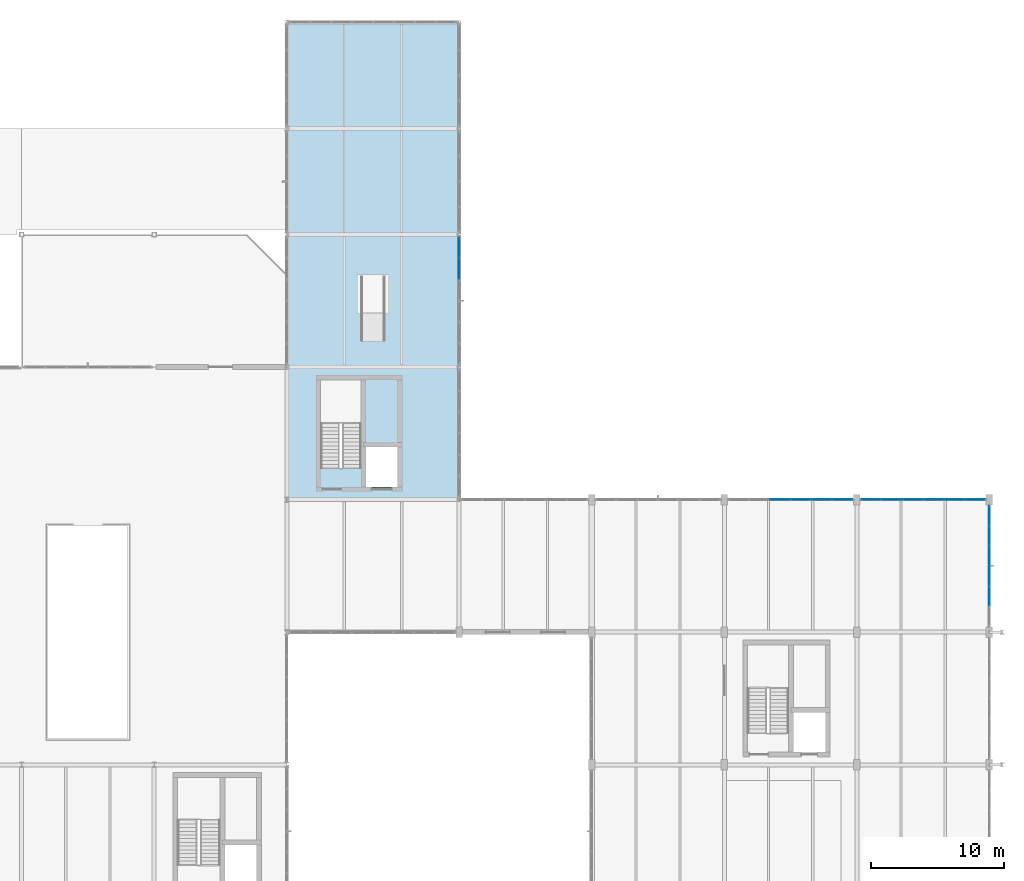
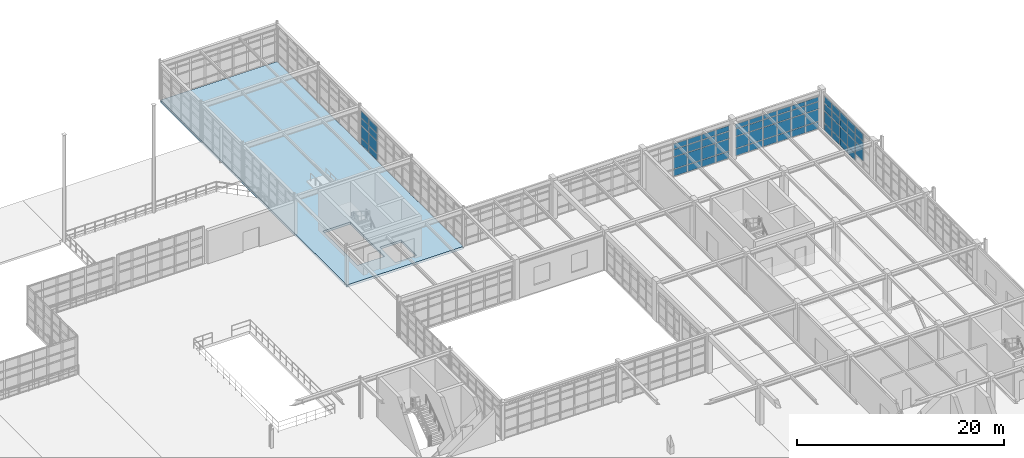
# One storey, part 103 of 139: 67 plates, 1 slab, 4 elements without a shape of their own.
"""IFC4 building model written with IfcOpenShell, lengths in metres."""

from ifc_helpers import new_model, si_unit, direction, frame, origin, origin_2d, place, context, subcontext, project, spatial, polyline, rectangle, outline, extrude, material, layer, layer_set, type_object, element, aggregate, save


model = new_model("IFC4")

# Units and contexts
model_context = context("Model", 3, precision=1e-05, world=origin(), true_north=direction((0.0, 1.0)))
body_context = subcontext(model_context, "Body", "Model", "MODEL_VIEW")
ifc_project = project(units=[si_unit("LENGTHUNIT", "METRE"), si_unit("AREAUNIT", "SQUARE_METRE"), si_unit("VOLUMEUNIT", "CUBIC_METRE"), si_unit("PLANEANGLEUNIT", "RADIAN"), si_unit("MASSUNIT", "GRAM", prefix="KILO"), si_unit("THERMODYNAMICTEMPERATUREUNIT", "KELVIN"), si_unit("POWERUNIT", "WATT")], contexts=[model_context])

# Site, building, storey
site_placement = place(None, origin())
site = spatial("IfcSite", under=ifc_project, at=site_placement, CompositionType="ELEMENT")
building_placement = place(site_placement, origin())
building = spatial("IfcBuilding", under=site, at=building_placement, Name="Korenveer Ferry Terminal", CompositionType="ELEMENT")
storey_placement = place(building_placement, frame((0.0, 0.0, 5.39990234375)))
storey = spatial("IfcBuildingStorey", under=building, at=storey_placement, Name="L01", CompositionType="ELEMENT", Elevation=5.39990234375)

# Curtain wall, plates
ifc_material_1 = material(Name="Unitised bronze-and-glass curtain wall", Category="glass")
ifc_layer_1 = layer(ifc_material_1, 0.219970703125)
ifc_layer_set_1 = layer_set([ifc_layer_1], Name="Unitised bronze-and-glass curtain wall")
curtain_wall_type_1 = type_object("IfcCurtainWallType", Name="ENV-CW-49", PredefinedType="USERDEFINED", material=ifc_layer_set_1)
curtain_wall_1_placement = place(storey_placement, frame((156.280029296875, 80.0, 0.0)))
curtain_wall_1 = element("IfcCurtainWall", 1, at=curtain_wall_1_placement, inside=storey, type_object=curtain_wall_type_1, Name="Lancet curtain wall CWX-L01-X156-166-Y80-80", ObjectType="UNITISED CURTAIN WALL", PredefinedType="USERDEFINED")
ifc_material_2 = material(Name="Acoustic laminated marine glazing", Category="glass")
ifc_layer_2 = layer(ifc_material_2, 0.035888671875)
ifc_layer_set_2 = layer_set([ifc_layer_2], Name="Acoustic laminated marine glazing")
plate_type = type_object("IfcPlateType", Name="ENV-CWP-GLZ36", PredefinedType="CURTAIN_PANEL", material=ifc_layer_set_2)
plate_1_placement = place(storey_placement, frame((160.21337890625, 80.0, 0.074951171875), z_axis=(0.0, 0.0, 1.0), x_axis=(1.0, 0.0, 0.0)))
plate_1 = element("IfcPlate", 2, at=plate_1_placement, type_object=plate_type, Name="CW-49 panel 3.1", PredefinedType="CURTAIN_PANEL", context=body_context, shape_type="SweptSolid", body=[
    extrude(rectangle(XDim=1.498291015625, YDim=0.035888671875, at=origin_2d()), origin(), (0.0, 0.0, 1.0), 0.78759765625),
])
plate_2_placement = place(storey_placement, frame((160.21337890625, 80.0, 0.9375), z_axis=(0.0, 0.0, 1.0), x_axis=(1.0, 0.0, 0.0)))
plate_2 = element("IfcPlate", 3, at=plate_2_placement, type_object=plate_type, Name="CW-49 panel 3.2", PredefinedType="CURTAIN_PANEL", context=body_context, shape_type="SweptSolid", body=[
    extrude(rectangle(XDim=1.498291015625, YDim=0.035888671875, at=origin_2d()), origin(), (0.0, 0.0, 1.0), 1.375),
])
plate_3_placement = place(storey_placement, frame((160.21337890625, 80.0, 2.3876953125), z_axis=(0.0, 0.0, 1.0), x_axis=(1.0, 0.0, 0.0)))
plate_3 = element("IfcPlate", 4, at=plate_3_placement, type_object=plate_type, Name="CW-49 panel 3.3", PredefinedType="CURTAIN_PANEL", context=body_context, shape_type="SweptSolid", body=[
    extrude(rectangle(XDim=1.498291015625, YDim=0.035888671875, at=origin_2d()), origin(), (0.0, 0.0, 1.0), 0.824951171875),
])
plate_4_placement = place(storey_placement, frame((160.21337890625, 80.0, 3.28759765625), z_axis=(0.0, 0.0, 1.0), x_axis=(1.0, 0.0, 0.0)))
plate_4 = element("IfcPlate", 5, at=plate_4_placement, type_object=plate_type, Name="CW-49 panel 3.4", PredefinedType="CURTAIN_PANEL", context=body_context, shape_type="SweptSolid", body=[
    extrude(rectangle(XDim=1.498291015625, YDim=0.035888671875, at=origin_2d()), origin(), (0.0, 0.0, 1.0), 0.607421875),
])
plate_5_placement = place(storey_placement, frame((161.78662109375, 80.0, 0.074951171875), z_axis=(0.0, 0.0, 1.0), x_axis=(1.0, 0.0, 0.0)))
plate_5 = element("IfcPlate", 6, at=plate_5_placement, type_object=plate_type, Name="CW-49 panel 4.1", PredefinedType="CURTAIN_PANEL", context=body_context, shape_type="SweptSolid", body=[
    extrude(rectangle(XDim=1.498291015625, YDim=0.035888671875, at=origin_2d()), origin(), (0.0, 0.0, 1.0), 0.78759765625),
])
plate_6_placement = place(storey_placement, frame((161.78662109375, 80.0, 0.9375), z_axis=(0.0, 0.0, 1.0), x_axis=(1.0, 0.0, 0.0)))
plate_6 = element("IfcPlate", 7, at=plate_6_placement, type_object=plate_type, Name="CW-49 panel 4.2", PredefinedType="CURTAIN_PANEL", context=body_context, shape_type="SweptSolid", body=[
    extrude(rectangle(XDim=1.498291015625, YDim=0.035888671875, at=origin_2d()), origin(), (0.0, 0.0, 1.0), 1.375),
])
plate_7_placement = place(storey_placement, frame((161.78662109375, 80.0, 2.3876953125), z_axis=(0.0, 0.0, 1.0), x_axis=(1.0, 0.0, 0.0)))
plate_7 = element("IfcPlate", 8, at=plate_7_placement, type_object=plate_type, Name="CW-49 panel 4.3", PredefinedType="CURTAIN_PANEL", context=body_context, shape_type="SweptSolid", body=[
    extrude(rectangle(XDim=1.498291015625, YDim=0.035888671875, at=origin_2d()), origin(), (0.0, 0.0, 1.0), 0.824951171875),
])
plate_8_placement = place(storey_placement, frame((161.78662109375, 80.0, 3.28759765625), z_axis=(0.0, 0.0, 1.0), x_axis=(1.0, 0.0, 0.0)))
plate_8 = element("IfcPlate", 9, at=plate_8_placement, type_object=plate_type, Name="CW-49 panel 4.4", PredefinedType="CURTAIN_PANEL", context=body_context, shape_type="SweptSolid", body=[
    extrude(rectangle(XDim=1.498291015625, YDim=0.035888671875, at=origin_2d()), origin(), (0.0, 0.0, 1.0), 0.607421875),
])
plate_9_placement = place(storey_placement, frame((163.360107421875, 80.0, 0.074951171875), z_axis=(0.0, 0.0, 1.0), x_axis=(1.0, 0.0, 0.0)))
plate_9 = element("IfcPlate", 10, at=plate_9_placement, type_object=plate_type, Name="CW-49 panel 5.1", PredefinedType="CURTAIN_PANEL", context=body_context, shape_type="SweptSolid", body=[
    extrude(rectangle(XDim=1.498291015625, YDim=0.035888671875, at=origin_2d()), origin(), (0.0, 0.0, 1.0), 0.78759765625),
])
plate_10_placement = place(storey_placement, frame((163.360107421875, 80.0, 0.9375), z_axis=(0.0, 0.0, 1.0), x_axis=(1.0, 0.0, 0.0)))
plate_10 = element("IfcPlate", 11, at=plate_10_placement, type_object=plate_type, Name="CW-49 panel 5.2", PredefinedType="CURTAIN_PANEL", context=body_context, shape_type="SweptSolid", body=[
    extrude(rectangle(XDim=1.498291015625, YDim=0.035888671875, at=origin_2d()), origin(), (0.0, 0.0, 1.0), 1.375),
])
plate_11_placement = place(storey_placement, frame((163.360107421875, 80.0, 2.3876953125), z_axis=(0.0, 0.0, 1.0), x_axis=(1.0, 0.0, 0.0)))
plate_11 = element("IfcPlate", 12, at=plate_11_placement, type_object=plate_type, Name="CW-49 panel 5.3", PredefinedType="CURTAIN_PANEL", context=body_context, shape_type="SweptSolid", body=[
    extrude(rectangle(XDim=1.498291015625, YDim=0.035888671875, at=origin_2d()), origin(), (0.0, 0.0, 1.0), 0.824951171875),
])
plate_12_placement = place(storey_placement, frame((163.360107421875, 80.0, 3.28759765625), z_axis=(0.0, 0.0, 1.0), x_axis=(1.0, 0.0, 0.0)))
plate_12 = element("IfcPlate", 13, at=plate_12_placement, type_object=plate_type, Name="CW-49 panel 5.4", PredefinedType="CURTAIN_PANEL", context=body_context, shape_type="SweptSolid", body=[
    extrude(rectangle(XDim=1.498291015625, YDim=0.035888671875, at=origin_2d()), origin(), (0.0, 0.0, 1.0), 0.607421875),
])
plate_13_placement = place(storey_placement, frame((164.91455078125, 80.0, 0.074951171875), z_axis=(0.0, 0.0, 1.0), x_axis=(1.0, 0.0, 0.0)))
plate_13 = element("IfcPlate", 14, at=plate_13_placement, type_object=plate_type, Name="CW-49 panel 6.1", PredefinedType="CURTAIN_PANEL", context=body_context, shape_type="SweptSolid", body=[
    extrude(rectangle(XDim=1.4609375, YDim=0.035888671875, at=origin_2d()), origin(), (0.0, 0.0, 1.0), 0.78759765625),
])
plate_14_placement = place(storey_placement, frame((164.91455078125, 80.0, 0.9375), z_axis=(0.0, 0.0, 1.0), x_axis=(1.0, 0.0, 0.0)))
plate_14 = element("IfcPlate", 15, at=plate_14_placement, type_object=plate_type, Name="CW-49 panel 6.2", PredefinedType="CURTAIN_PANEL", context=body_context, shape_type="SweptSolid", body=[
    extrude(rectangle(XDim=1.4609375, YDim=0.035888671875, at=origin_2d()), origin(), (0.0, 0.0, 1.0), 1.375),
])
plate_15_placement = place(storey_placement, frame((164.91455078125, 80.0, 2.3876953125), z_axis=(0.0, 0.0, 1.0), x_axis=(1.0, 0.0, 0.0)))
plate_15 = element("IfcPlate", 16, at=plate_15_placement, type_object=plate_type, Name="CW-49 panel 6.3", PredefinedType="CURTAIN_PANEL", context=body_context, shape_type="SweptSolid", body=[
    extrude(rectangle(XDim=1.4609375, YDim=0.035888671875, at=origin_2d()), origin(), (0.0, 0.0, 1.0), 0.824951171875),
])
plate_16_placement = place(storey_placement, frame((164.91455078125, 80.0, 3.28759765625), z_axis=(0.0, 0.0, 1.0), x_axis=(1.0, 0.0, 0.0)))
plate_16 = element("IfcPlate", 17, at=plate_16_placement, type_object=plate_type, Name="CW-49 panel 6.4", PredefinedType="CURTAIN_PANEL", context=body_context, shape_type="SweptSolid", body=[
    extrude(rectangle(XDim=1.4609375, YDim=0.035888671875, at=origin_2d()), origin(), (0.0, 0.0, 1.0), 0.607421875),
])
aggregate(curtain_wall_1, [plate_1, plate_2, plate_3, plate_4, plate_5, plate_6, plate_7, plate_8, plate_9, plate_10, plate_11, plate_12, plate_13, plate_14, plate_15, plate_16])

ifc_layer_3 = layer(ifc_material_1, 0.219970703125)
ifc_layer_set_3 = layer_set([ifc_layer_3], Name="Unitised bronze-and-glass curtain wall")
curtain_wall_type_2 = type_object("IfcCurtainWallType", Name="ENV-CW-50", PredefinedType="USERDEFINED", material=ifc_layer_set_3)
curtain_wall_2_placement = place(storey_placement, frame((166.280029296875, 80.0, 0.0)))
curtain_wall_2 = element("IfcCurtainWall", 18, at=curtain_wall_2_placement, inside=storey, type_object=curtain_wall_type_2, Name="Lancet curtain wall CWX-L01-X166-176-Y80-80", ObjectType="UNITISED CURTAIN WALL", PredefinedType="USERDEFINED")
plate_17_placement = place(storey_placement, frame((167.08544921875, 80.0, 0.074951171875), z_axis=(0.0, 0.0, 1.0), x_axis=(1.0, 0.0, 0.0)))
plate_17 = element("IfcPlate", 19, at=plate_17_placement, type_object=plate_type, Name="CW-50 panel 1.1", PredefinedType="CURTAIN_PANEL", context=body_context, shape_type="SweptSolid", body=[
    extrude(rectangle(XDim=1.4609375, YDim=0.035888671875, at=origin_2d()), origin(), (0.0, 0.0, 1.0), 0.78759765625),
])
plate_18_placement = place(storey_placement, frame((167.08544921875, 80.0, 0.9375), z_axis=(0.0, 0.0, 1.0), x_axis=(1.0, 0.0, 0.0)))
plate_18 = element("IfcPlate", 20, at=plate_18_placement, type_object=plate_type, Name="CW-50 panel 1.2", PredefinedType="CURTAIN_PANEL", context=body_context, shape_type="SweptSolid", body=[
    extrude(rectangle(XDim=1.4609375, YDim=0.035888671875, at=origin_2d()), origin(), (0.0, 0.0, 1.0), 1.375),
])
plate_19_placement = place(storey_placement, frame((167.08544921875, 80.0, 2.3876953125), z_axis=(0.0, 0.0, 1.0), x_axis=(1.0, 0.0, 0.0)))
plate_19 = element("IfcPlate", 21, at=plate_19_placement, type_object=plate_type, Name="CW-50 panel 1.3", PredefinedType="CURTAIN_PANEL", context=body_context, shape_type="SweptSolid", body=[
    extrude(rectangle(XDim=1.4609375, YDim=0.035888671875, at=origin_2d()), origin(), (0.0, 0.0, 1.0), 0.824951171875),
])
plate_20_placement = place(storey_placement, frame((167.08544921875, 80.0, 3.28759765625), z_axis=(0.0, 0.0, 1.0), x_axis=(1.0, 0.0, 0.0)))
plate_20 = element("IfcPlate", 22, at=plate_20_placement, type_object=plate_type, Name="CW-50 panel 1.4", PredefinedType="CURTAIN_PANEL", context=body_context, shape_type="SweptSolid", body=[
    extrude(rectangle(XDim=1.4609375, YDim=0.035888671875, at=origin_2d()), origin(), (0.0, 0.0, 1.0), 0.507568359375),
])
plate_21_placement = place(storey_placement, frame((168.639892578125, 80.0, 0.074951171875), z_axis=(0.0, 0.0, 1.0), x_axis=(1.0, 0.0, 0.0)))
plate_21 = element("IfcPlate", 23, at=plate_21_placement, type_object=plate_type, Name="CW-50 panel 2.1", PredefinedType="CURTAIN_PANEL", context=body_context, shape_type="SweptSolid", body=[
    extrude(rectangle(XDim=1.498291015625, YDim=0.035888671875, at=origin_2d()), origin(), (0.0, 0.0, 1.0), 0.78759765625),
])
plate_22_placement = place(storey_placement, frame((168.639892578125, 80.0, 0.9375), z_axis=(0.0, 0.0, 1.0), x_axis=(1.0, 0.0, 0.0)))
plate_22 = element("IfcPlate", 24, at=plate_22_placement, type_object=plate_type, Name="CW-50 panel 2.2", PredefinedType="CURTAIN_PANEL", context=body_context, shape_type="SweptSolid", body=[
    extrude(rectangle(XDim=1.498291015625, YDim=0.035888671875, at=origin_2d()), origin(), (0.0, 0.0, 1.0), 1.375),
])
plate_23_placement = place(storey_placement, frame((168.639892578125, 80.0, 2.3876953125), z_axis=(0.0, 0.0, 1.0), x_axis=(1.0, 0.0, 0.0)))
plate_23 = element("IfcPlate", 25, at=plate_23_placement, type_object=plate_type, Name="CW-50 panel 2.3", PredefinedType="CURTAIN_PANEL", context=body_context, shape_type="SweptSolid", body=[
    extrude(rectangle(XDim=1.498291015625, YDim=0.035888671875, at=origin_2d()), origin(), (0.0, 0.0, 1.0), 0.824951171875),
])
plate_24_placement = place(storey_placement, frame((168.639892578125, 80.0, 3.28759765625), z_axis=(0.0, 0.0, 1.0), x_axis=(1.0, 0.0, 0.0)))
plate_24 = element("IfcPlate", 26, at=plate_24_placement, type_object=plate_type, Name="CW-50 panel 2.4", PredefinedType="CURTAIN_PANEL", context=body_context, shape_type="SweptSolid", body=[
    extrude(rectangle(XDim=1.498291015625, YDim=0.035888671875, at=origin_2d()), origin(), (0.0, 0.0, 1.0), 0.507568359375),
])
plate_25_placement = place(storey_placement, frame((170.21337890625, 80.0, 0.074951171875), z_axis=(0.0, 0.0, 1.0), x_axis=(1.0, 0.0, 0.0)))
plate_25 = element("IfcPlate", 27, at=plate_25_placement, type_object=plate_type, Name="CW-50 panel 3.1", PredefinedType="CURTAIN_PANEL", context=body_context, shape_type="SweptSolid", body=[
    extrude(rectangle(XDim=1.498291015625, YDim=0.035888671875, at=origin_2d()), origin(), (0.0, 0.0, 1.0), 0.78759765625),
])
plate_26_placement = place(storey_placement, frame((170.21337890625, 80.0, 0.9375), z_axis=(0.0, 0.0, 1.0), x_axis=(1.0, 0.0, 0.0)))
plate_26 = element("IfcPlate", 28, at=plate_26_placement, type_object=plate_type, Name="CW-50 panel 3.2", PredefinedType="CURTAIN_PANEL", context=body_context, shape_type="SweptSolid", body=[
    extrude(rectangle(XDim=1.498291015625, YDim=0.035888671875, at=origin_2d()), origin(), (0.0, 0.0, 1.0), 1.375),
])
plate_27_placement = place(storey_placement, frame((170.21337890625, 80.0, 2.3876953125), z_axis=(0.0, 0.0, 1.0), x_axis=(1.0, 0.0, 0.0)))
plate_27 = element("IfcPlate", 29, at=plate_27_placement, type_object=plate_type, Name="CW-50 panel 3.3", PredefinedType="CURTAIN_PANEL", context=body_context, shape_type="SweptSolid", body=[
    extrude(rectangle(XDim=1.498291015625, YDim=0.035888671875, at=origin_2d()), origin(), (0.0, 0.0, 1.0), 0.824951171875),
])
plate_28_placement = place(storey_placement, frame((170.21337890625, 80.0, 3.28759765625), z_axis=(0.0, 0.0, 1.0), x_axis=(1.0, 0.0, 0.0)))
plate_28 = element("IfcPlate", 30, at=plate_28_placement, type_object=plate_type, Name="CW-50 panel 3.4", PredefinedType="CURTAIN_PANEL", context=body_context, shape_type="SweptSolid", body=[
    extrude(rectangle(XDim=1.498291015625, YDim=0.035888671875, at=origin_2d()), origin(), (0.0, 0.0, 1.0), 0.507568359375),
])
plate_29_placement = place(storey_placement, frame((171.78662109375, 80.0, 0.074951171875), z_axis=(0.0, 0.0, 1.0), x_axis=(1.0, 0.0, 0.0)))
plate_29 = element("IfcPlate", 31, at=plate_29_placement, type_object=plate_type, Name="CW-50 panel 4.1", PredefinedType="CURTAIN_PANEL", context=body_context, shape_type="SweptSolid", body=[
    extrude(rectangle(XDim=1.498291015625, YDim=0.035888671875, at=origin_2d()), origin(), (0.0, 0.0, 1.0), 0.78759765625),
])
plate_30_placement = place(storey_placement, frame((171.78662109375, 80.0, 0.9375), z_axis=(0.0, 0.0, 1.0), x_axis=(1.0, 0.0, 0.0)))
plate_30 = element("IfcPlate", 32, at=plate_30_placement, type_object=plate_type, Name="CW-50 panel 4.2", PredefinedType="CURTAIN_PANEL", context=body_context, shape_type="SweptSolid", body=[
    extrude(rectangle(XDim=1.498291015625, YDim=0.035888671875, at=origin_2d()), origin(), (0.0, 0.0, 1.0), 1.375),
])
plate_31_placement = place(storey_placement, frame((171.78662109375, 80.0, 2.3876953125), z_axis=(0.0, 0.0, 1.0), x_axis=(1.0, 0.0, 0.0)))
plate_31 = element("IfcPlate", 33, at=plate_31_placement, type_object=plate_type, Name="CW-50 panel 4.3", PredefinedType="CURTAIN_PANEL", context=body_context, shape_type="SweptSolid", body=[
    extrude(rectangle(XDim=1.498291015625, YDim=0.035888671875, at=origin_2d()), origin(), (0.0, 0.0, 1.0), 0.824951171875),
])
plate_32_placement = place(storey_placement, frame((171.78662109375, 80.0, 3.28759765625), z_axis=(0.0, 0.0, 1.0), x_axis=(1.0, 0.0, 0.0)))
plate_32 = element("IfcPlate", 34, at=plate_32_placement, type_object=plate_type, Name="CW-50 panel 4.4", PredefinedType="CURTAIN_PANEL", context=body_context, shape_type="SweptSolid", body=[
    extrude(rectangle(XDim=1.498291015625, YDim=0.035888671875, at=origin_2d()), origin(), (0.0, 0.0, 1.0), 0.507568359375),
])
plate_33_placement = place(storey_placement, frame((173.360107421875, 80.0, 0.074951171875), z_axis=(0.0, 0.0, 1.0), x_axis=(1.0, 0.0, 0.0)))
plate_33 = element("IfcPlate", 35, at=plate_33_placement, type_object=plate_type, Name="CW-50 panel 5.1", PredefinedType="CURTAIN_PANEL", context=body_context, shape_type="SweptSolid", body=[
    extrude(rectangle(XDim=1.498291015625, YDim=0.035888671875, at=origin_2d()), origin(), (0.0, 0.0, 1.0), 0.78759765625),
])
plate_34_placement = place(storey_placement, frame((173.360107421875, 80.0, 0.9375), z_axis=(0.0, 0.0, 1.0), x_axis=(1.0, 0.0, 0.0)))
plate_34 = element("IfcPlate", 36, at=plate_34_placement, type_object=plate_type, Name="CW-50 panel 5.2", PredefinedType="CURTAIN_PANEL", context=body_context, shape_type="SweptSolid", body=[
    extrude(rectangle(XDim=1.498291015625, YDim=0.035888671875, at=origin_2d()), origin(), (0.0, 0.0, 1.0), 1.375),
])
plate_35_placement = place(storey_placement, frame((173.360107421875, 80.0, 2.3876953125), z_axis=(0.0, 0.0, 1.0), x_axis=(1.0, 0.0, 0.0)))
plate_35 = element("IfcPlate", 37, at=plate_35_placement, type_object=plate_type, Name="CW-50 panel 5.3", PredefinedType="CURTAIN_PANEL", context=body_context, shape_type="SweptSolid", body=[
    extrude(rectangle(XDim=1.498291015625, YDim=0.035888671875, at=origin_2d()), origin(), (0.0, 0.0, 1.0), 0.824951171875),
])
plate_36_placement = place(storey_placement, frame((173.360107421875, 80.0, 3.28759765625), z_axis=(0.0, 0.0, 1.0), x_axis=(1.0, 0.0, 0.0)))
plate_36 = element("IfcPlate", 38, at=plate_36_placement, type_object=plate_type, Name="CW-50 panel 5.4", PredefinedType="CURTAIN_PANEL", context=body_context, shape_type="SweptSolid", body=[
    extrude(rectangle(XDim=1.498291015625, YDim=0.035888671875, at=origin_2d()), origin(), (0.0, 0.0, 1.0), 0.507568359375),
])
plate_37_placement = place(storey_placement, frame((174.91455078125, 80.0, 0.074951171875), z_axis=(0.0, 0.0, 1.0), x_axis=(1.0, 0.0, 0.0)))
plate_37 = element("IfcPlate", 39, at=plate_37_placement, type_object=plate_type, Name="CW-50 panel 6.1", PredefinedType="CURTAIN_PANEL", context=body_context, shape_type="SweptSolid", body=[
    extrude(rectangle(XDim=1.4609375, YDim=0.035888671875, at=origin_2d()), origin(), (0.0, 0.0, 1.0), 0.78759765625),
])
plate_38_placement = place(storey_placement, frame((174.91455078125, 80.0, 0.9375), z_axis=(0.0, 0.0, 1.0), x_axis=(1.0, 0.0, 0.0)))
plate_38 = element("IfcPlate", 40, at=plate_38_placement, type_object=plate_type, Name="CW-50 panel 6.2", PredefinedType="CURTAIN_PANEL", context=body_context, shape_type="SweptSolid", body=[
    extrude(rectangle(XDim=1.4609375, YDim=0.035888671875, at=origin_2d()), origin(), (0.0, 0.0, 1.0), 1.375),
])
plate_39_placement = place(storey_placement, frame((174.91455078125, 80.0, 2.3876953125), z_axis=(0.0, 0.0, 1.0), x_axis=(1.0, 0.0, 0.0)))
plate_39 = element("IfcPlate", 41, at=plate_39_placement, type_object=plate_type, Name="CW-50 panel 6.3", PredefinedType="CURTAIN_PANEL", context=body_context, shape_type="SweptSolid", body=[
    extrude(rectangle(XDim=1.4609375, YDim=0.035888671875, at=origin_2d()), origin(), (0.0, 0.0, 1.0), 0.824951171875),
])
plate_40_placement = place(storey_placement, frame((174.91455078125, 80.0, 3.28759765625), z_axis=(0.0, 0.0, 1.0), x_axis=(1.0, 0.0, 0.0)))
plate_40 = element("IfcPlate", 42, at=plate_40_placement, type_object=plate_type, Name="CW-50 panel 6.4", PredefinedType="CURTAIN_PANEL", context=body_context, shape_type="SweptSolid", body=[
    extrude(rectangle(XDim=1.4609375, YDim=0.035888671875, at=origin_2d()), origin(), (0.0, 0.0, 1.0), 0.507568359375),
])
aggregate(curtain_wall_2, [plate_17, plate_18, plate_19, plate_20, plate_21, plate_22, plate_23, plate_24, plate_25, plate_26, plate_27, plate_28, plate_29, plate_30, plate_31, plate_32, plate_33, plate_34, plate_35, plate_36, plate_37, plate_38, plate_39, plate_40])

ifc_layer_4 = layer(ifc_material_1, 0.219970703125)
ifc_layer_set_4 = layer_set([ifc_layer_4], Name="Unitised bronze-and-glass curtain wall")
curtain_wall_type_3 = type_object("IfcCurtainWallType", Name="ENV-CW-76", PredefinedType="USERDEFINED", material=ifc_layer_set_4)
curtain_wall_3_placement = place(storey_placement, frame((136.0, 99.83349609375, 0.0)))
curtain_wall_3 = element("IfcCurtainWall", 43, at=curtain_wall_3_placement, inside=storey, type_object=curtain_wall_type_3, Name="Lancet curtain wall CWX-L01-X136-136-Y90-100", ObjectType="UNITISED CURTAIN WALL", PredefinedType="USERDEFINED")
plate_41_placement = place(storey_placement, frame((136.0, 99.00927734375, 0.074951171875), z_axis=(0.0, 0.0, 1.0), x_axis=(0.0, -1.0, 0.0)))
plate_41 = element("IfcPlate", 44, at=plate_41_placement, type_object=plate_type, Name="CW-76 panel 1.1", PredefinedType="CURTAIN_PANEL", context=body_context, shape_type="SweptSolid", body=[
    extrude(rectangle(XDim=1.498779296875, YDim=0.035888671875, at=origin_2d()), origin(), (0.0, 0.0, 1.0), 0.78759765625),
])
plate_42_placement = place(storey_placement, frame((136.0, 99.00927734375, 0.9375), z_axis=(0.0, 0.0, 1.0), x_axis=(0.0, -1.0, 0.0)))
plate_42 = element("IfcPlate", 45, at=plate_42_placement, type_object=plate_type, Name="CW-76 panel 1.2", PredefinedType="CURTAIN_PANEL", context=body_context, shape_type="SweptSolid", body=[
    extrude(rectangle(XDim=1.498779296875, YDim=0.035888671875, at=origin_2d()), origin(), (0.0, 0.0, 1.0), 1.375),
])
plate_43_placement = place(storey_placement, frame((136.0, 99.00927734375, 2.3876953125), z_axis=(0.0, 0.0, 1.0), x_axis=(0.0, -1.0, 0.0)))
plate_43 = element("IfcPlate", 46, at=plate_43_placement, type_object=plate_type, Name="CW-76 panel 1.3", PredefinedType="CURTAIN_PANEL", context=body_context, shape_type="SweptSolid", body=[
    extrude(rectangle(XDim=1.498779296875, YDim=0.035888671875, at=origin_2d()), origin(), (0.0, 0.0, 1.0), 0.824951171875),
])
plate_44_placement = place(storey_placement, frame((136.0, 99.00927734375, 3.28759765625), z_axis=(0.0, 0.0, 1.0), x_axis=(0.0, -1.0, 0.0)))
plate_44 = element("IfcPlate", 47, at=plate_44_placement, type_object=plate_type, Name="CW-76 panel 1.4", PredefinedType="CURTAIN_PANEL", context=body_context, shape_type="SweptSolid", body=[
    extrude(rectangle(XDim=1.498779296875, YDim=0.035888671875, at=origin_2d()), origin(), (0.0, 0.0, 1.0), 0.767578125),
])
plate_45_placement = place(storey_placement, frame((136.0, 97.416748046875, 0.074951171875), z_axis=(0.0, 0.0, 1.0), x_axis=(0.0, -1.0, 0.0)))
plate_45 = element("IfcPlate", 48, at=plate_45_placement, type_object=plate_type, Name="CW-76 panel 2.1", PredefinedType="CURTAIN_PANEL", context=body_context, shape_type="SweptSolid", body=[
    extrude(rectangle(XDim=1.5361328125, YDim=0.035888671875, at=origin_2d()), origin(), (0.0, 0.0, 1.0), 0.78759765625),
])
plate_46_placement = place(storey_placement, frame((136.0, 97.416748046875, 0.9375), z_axis=(0.0, 0.0, 1.0), x_axis=(0.0, -1.0, 0.0)))
plate_46 = element("IfcPlate", 49, at=plate_46_placement, type_object=plate_type, Name="CW-76 panel 2.2", PredefinedType="CURTAIN_PANEL", context=body_context, shape_type="SweptSolid", body=[
    extrude(rectangle(XDim=1.5361328125, YDim=0.035888671875, at=origin_2d()), origin(), (0.0, 0.0, 1.0), 1.375),
])
plate_47_placement = place(storey_placement, frame((136.0, 97.416748046875, 2.3876953125), z_axis=(0.0, 0.0, 1.0), x_axis=(0.0, -1.0, 0.0)))
plate_47 = element("IfcPlate", 50, at=plate_47_placement, type_object=plate_type, Name="CW-76 panel 2.3", PredefinedType="CURTAIN_PANEL", context=body_context, shape_type="SweptSolid", body=[
    extrude(rectangle(XDim=1.5361328125, YDim=0.035888671875, at=origin_2d()), origin(), (0.0, 0.0, 1.0), 0.824951171875),
])
plate_48_placement = place(storey_placement, frame((136.0, 97.416748046875, 3.28759765625), z_axis=(0.0, 0.0, 1.0), x_axis=(0.0, -1.0, 0.0)))
plate_48 = element("IfcPlate", 51, at=plate_48_placement, type_object=plate_type, Name="CW-76 panel 2.4", PredefinedType="CURTAIN_PANEL", context=body_context, shape_type="SweptSolid", body=[
    extrude(rectangle(XDim=1.5361328125, YDim=0.035888671875, at=origin_2d()), origin(), (0.0, 0.0, 1.0), 0.767578125),
])
aggregate(curtain_wall_3, [plate_41, plate_42, plate_43, plate_44, plate_45, plate_46, plate_47, plate_48])

ifc_layer_5 = layer(ifc_material_1, 0.219970703125)
ifc_layer_set_5 = layer_set([ifc_layer_5], Name="Unitised bronze-and-glass curtain wall")
curtain_wall_type_4 = type_object("IfcCurtainWallType", Name="ENV-CW-61", PredefinedType="USERDEFINED", material=ifc_layer_set_5)
curtain_wall_4_placement = place(storey_placement, frame((176.0, 79.570068359375, 0.0)))
curtain_wall_4 = element("IfcCurtainWall", 52, at=curtain_wall_4_placement, inside=storey, type_object=curtain_wall_type_4, Name="Lancet curtain wall CWX-L01-X176-176-Y70-80", ObjectType="UNITISED CURTAIN WALL", PredefinedType="USERDEFINED")
plate_49_placement = place(storey_placement, frame((176.0, 78.78955078125, 0.074951171875), z_axis=(0.0, 0.0, 1.0), x_axis=(0.0, -1.0, 0.0)))
plate_49 = element("IfcPlate", 53, at=plate_49_placement, type_object=plate_type, Name="CW-61 panel 1.1", PredefinedType="CURTAIN_PANEL", context=body_context, shape_type="SweptSolid", body=[
    extrude(rectangle(XDim=1.410888671875, YDim=0.035888671875, at=origin_2d()), origin(), (0.0, 0.0, 1.0), 0.78759765625),
])
plate_50_placement = place(storey_placement, frame((176.0, 78.78955078125, 0.9375), z_axis=(0.0, 0.0, 1.0), x_axis=(0.0, -1.0, 0.0)))
plate_50 = element("IfcPlate", 54, at=plate_50_placement, type_object=plate_type, Name="CW-61 panel 1.2", PredefinedType="CURTAIN_PANEL", context=body_context, shape_type="SweptSolid", body=[
    extrude(rectangle(XDim=1.410888671875, YDim=0.035888671875, at=origin_2d()), origin(), (0.0, 0.0, 1.0), 1.375),
])
plate_51_placement = place(storey_placement, frame((176.0, 78.78955078125, 2.3876953125), z_axis=(0.0, 0.0, 1.0), x_axis=(0.0, -1.0, 0.0)))
plate_51 = element("IfcPlate", 55, at=plate_51_placement, type_object=plate_type, Name="CW-61 panel 1.3", PredefinedType="CURTAIN_PANEL", context=body_context, shape_type="SweptSolid", body=[
    extrude(rectangle(XDim=1.410888671875, YDim=0.035888671875, at=origin_2d()), origin(), (0.0, 0.0, 1.0), 0.824951171875),
])
plate_52_placement = place(storey_placement, frame((176.0, 78.78955078125, 3.28759765625), z_axis=(0.0, 0.0, 1.0), x_axis=(0.0, -1.0, 0.0)))
plate_52 = element("IfcPlate", 56, at=plate_52_placement, type_object=plate_type, Name="CW-61 panel 1.4", PredefinedType="CURTAIN_PANEL", context=body_context, shape_type="SweptSolid", body=[
    extrude(rectangle(XDim=1.410888671875, YDim=0.035888671875, at=origin_2d()), origin(), (0.0, 0.0, 1.0), 0.8076171875),
])
plate_53_placement = place(storey_placement, frame((176.0, 77.284912109375, 0.074951171875), z_axis=(0.0, 0.0, 1.0), x_axis=(0.0, -1.0, 0.0)))
plate_53 = element("IfcPlate", 57, at=plate_53_placement, type_object=plate_type, Name="CW-61 panel 2.1", PredefinedType="CURTAIN_PANEL", context=body_context, shape_type="SweptSolid", body=[
    extrude(rectangle(XDim=1.4482421875, YDim=0.035888671875, at=origin_2d()), origin(), (0.0, 0.0, 1.0), 0.78759765625),
])
plate_54_placement = place(storey_placement, frame((176.0, 77.284912109375, 0.9375), z_axis=(0.0, 0.0, 1.0), x_axis=(0.0, -1.0, 0.0)))
plate_54 = element("IfcPlate", 58, at=plate_54_placement, type_object=plate_type, Name="CW-61 panel 2.2", PredefinedType="CURTAIN_PANEL", context=body_context, shape_type="SweptSolid", body=[
    extrude(rectangle(XDim=1.4482421875, YDim=0.035888671875, at=origin_2d()), origin(), (0.0, 0.0, 1.0), 1.375),
])
plate_55_placement = place(storey_placement, frame((176.0, 77.284912109375, 2.3876953125), z_axis=(0.0, 0.0, 1.0), x_axis=(0.0, -1.0, 0.0)))
plate_55 = element("IfcPlate", 59, at=plate_55_placement, type_object=plate_type, Name="CW-61 panel 2.3", PredefinedType="CURTAIN_PANEL", context=body_context, shape_type="SweptSolid", body=[
    extrude(rectangle(XDim=1.4482421875, YDim=0.035888671875, at=origin_2d()), origin(), (0.0, 0.0, 1.0), 0.824951171875),
])
plate_56_placement = place(storey_placement, frame((176.0, 77.284912109375, 3.28759765625), z_axis=(0.0, 0.0, 1.0), x_axis=(0.0, -1.0, 0.0)))
plate_56 = element("IfcPlate", 60, at=plate_56_placement, type_object=plate_type, Name="CW-61 panel 2.4", PredefinedType="CURTAIN_PANEL", context=body_context, shape_type="SweptSolid", body=[
    extrude(rectangle(XDim=1.4482421875, YDim=0.035888671875, at=origin_2d()), origin(), (0.0, 0.0, 1.0), 0.8076171875),
])
plate_57_placement = place(storey_placement, frame((176.0, 75.76171875, 0.074951171875), z_axis=(0.0, 0.0, 1.0), x_axis=(0.0, -1.0, 0.0)))
plate_57 = element("IfcPlate", 61, at=plate_57_placement, type_object=plate_type, Name="CW-61 panel 3.1", PredefinedType="CURTAIN_PANEL", context=body_context, shape_type="SweptSolid", body=[
    extrude(rectangle(XDim=1.4482421875, YDim=0.035888671875, at=origin_2d()), origin(), (0.0, 0.0, 1.0), 0.78759765625),
])
plate_58_placement = place(storey_placement, frame((176.0, 75.76171875, 0.9375), z_axis=(0.0, 0.0, 1.0), x_axis=(0.0, -1.0, 0.0)))
plate_58 = element("IfcPlate", 62, at=plate_58_placement, type_object=plate_type, Name="CW-61 panel 3.2", PredefinedType="CURTAIN_PANEL", context=body_context, shape_type="SweptSolid", body=[
    extrude(rectangle(XDim=1.4482421875, YDim=0.035888671875, at=origin_2d()), origin(), (0.0, 0.0, 1.0), 1.375),
])
plate_59_placement = place(storey_placement, frame((176.0, 75.76171875, 2.3876953125), z_axis=(0.0, 0.0, 1.0), x_axis=(0.0, -1.0, 0.0)))
plate_59 = element("IfcPlate", 63, at=plate_59_placement, type_object=plate_type, Name="CW-61 panel 3.3", PredefinedType="CURTAIN_PANEL", context=body_context, shape_type="SweptSolid", body=[
    extrude(rectangle(XDim=1.4482421875, YDim=0.035888671875, at=origin_2d()), origin(), (0.0, 0.0, 1.0), 0.824951171875),
])
plate_60_placement = place(storey_placement, frame((176.0, 75.76171875, 3.28759765625), z_axis=(0.0, 0.0, 1.0), x_axis=(0.0, -1.0, 0.0)))
plate_60 = element("IfcPlate", 64, at=plate_60_placement, type_object=plate_type, Name="CW-61 panel 3.4", PredefinedType="CURTAIN_PANEL", context=body_context, shape_type="SweptSolid", body=[
    extrude(rectangle(XDim=1.4482421875, YDim=0.035888671875, at=origin_2d()), origin(), (0.0, 0.0, 1.0), 0.8076171875),
])
plate_61_placement = place(storey_placement, frame((176.0, 74.23828125, 0.074951171875), z_axis=(0.0, 0.0, 1.0), x_axis=(0.0, -1.0, 0.0)))
plate_61 = element("IfcPlate", 65, at=plate_61_placement, type_object=plate_type, Name="CW-61 panel 4.1", PredefinedType="CURTAIN_PANEL", context=body_context, shape_type="SweptSolid", body=[
    extrude(rectangle(XDim=1.4482421875, YDim=0.035888671875, at=origin_2d()), origin(), (0.0, 0.0, 1.0), 0.78759765625),
])
plate_62_placement = place(storey_placement, frame((176.0, 74.23828125, 0.9375), z_axis=(0.0, 0.0, 1.0), x_axis=(0.0, -1.0, 0.0)))
plate_62 = element("IfcPlate", 66, at=plate_62_placement, type_object=plate_type, Name="CW-61 panel 4.2", PredefinedType="CURTAIN_PANEL", context=body_context, shape_type="SweptSolid", body=[
    extrude(rectangle(XDim=1.4482421875, YDim=0.035888671875, at=origin_2d()), origin(), (0.0, 0.0, 1.0), 1.375),
])
plate_63_placement = place(storey_placement, frame((176.0, 74.23828125, 2.3876953125), z_axis=(0.0, 0.0, 1.0), x_axis=(0.0, -1.0, 0.0)))
plate_63 = element("IfcPlate", 67, at=plate_63_placement, type_object=plate_type, Name="CW-61 panel 4.3", PredefinedType="CURTAIN_PANEL", context=body_context, shape_type="SweptSolid", body=[
    extrude(rectangle(XDim=1.4482421875, YDim=0.035888671875, at=origin_2d()), origin(), (0.0, 0.0, 1.0), 0.824951171875),
])
plate_64_placement = place(storey_placement, frame((176.0, 74.23828125, 3.28759765625), z_axis=(0.0, 0.0, 1.0), x_axis=(0.0, -1.0, 0.0)))
plate_64 = element("IfcPlate", 68, at=plate_64_placement, type_object=plate_type, Name="CW-61 panel 4.4", PredefinedType="CURTAIN_PANEL", context=body_context, shape_type="SweptSolid", body=[
    extrude(rectangle(XDim=1.4482421875, YDim=0.035888671875, at=origin_2d()), origin(), (0.0, 0.0, 1.0), 0.8076171875),
])
plate_65_placement = place(storey_placement, frame((176.0, 72.715087890625, 0.9375), z_axis=(0.0, 0.0, 1.0), x_axis=(0.0, -1.0, 0.0)))
plate_65 = element("IfcPlate", 69, at=plate_65_placement, type_object=plate_type, Name="CW-61 panel 5.2", PredefinedType="CURTAIN_PANEL", context=body_context, shape_type="SweptSolid", body=[
    extrude(rectangle(XDim=1.4482421875, YDim=0.035888671875, at=origin_2d()), origin(), (0.0, 0.0, 1.0), 1.375),
])
plate_66_placement = place(storey_placement, frame((176.0, 72.715087890625, 2.3876953125), z_axis=(0.0, 0.0, 1.0), x_axis=(0.0, -1.0, 0.0)))
plate_66 = element("IfcPlate", 70, at=plate_66_placement, type_object=plate_type, Name="CW-61 panel 5.3", PredefinedType="CURTAIN_PANEL", context=body_context, shape_type="SweptSolid", body=[
    extrude(rectangle(XDim=1.4482421875, YDim=0.035888671875, at=origin_2d()), origin(), (0.0, 0.0, 1.0), 0.824951171875),
])
plate_67_placement = place(storey_placement, frame((176.0, 72.715087890625, 3.28759765625), z_axis=(0.0, 0.0, 1.0), x_axis=(0.0, -1.0, 0.0)))
plate_67 = element("IfcPlate", 71, at=plate_67_placement, type_object=plate_type, Name="CW-61 panel 5.4", PredefinedType="CURTAIN_PANEL", context=body_context, shape_type="SweptSolid", body=[
    extrude(rectangle(XDim=1.4482421875, YDim=0.035888671875, at=origin_2d()), origin(), (0.0, 0.0, 1.0), 0.8076171875),
])
aggregate(curtain_wall_4, [plate_49, plate_50, plate_51, plate_52, plate_53, plate_54, plate_55, plate_56, plate_57, plate_58, plate_59, plate_60, plate_61, plate_62, plate_63, plate_64, plate_65, plate_66, plate_67])

# Slab
ifc_material_3 = material(Name="Concrete C35/45", Category="concrete")
ifc_layer_6 = layer(ifc_material_3, 0.280029296875)
ifc_layer_set_6 = layer_set([ifc_layer_6], Name="Concrete C35/45")
slab_type = type_object("IfcSlabType", Name="STR-SL-FLR280", PredefinedType="FLOOR", material=ifc_layer_set_6)
slab_placement = place(storey_placement, frame((0.0, 0.0, -0.27978515625)))
element("IfcSlab", 72, at=slab_placement, inside=storey, type_object=slab_type, Name="Floor slab SL-L01-PE2", PredefinedType="FLOOR", context=body_context, shape_type="SweptSolid", body=[
    extrude(outline(polyline([(123.0, 80.0), (136.0, 80.0), (136.0, 116.0), (123.0, 116.0), (123.0, 80.0)]), holes=[polyline([(128.60009765625, 82.3798828125), (128.60009765625, 89.0400390625), (125.56005859375, 89.0400390625), (125.56005859375, 82.3798828125), (128.60009765625, 82.3798828125)]), polyline([(128.9599609375, 80.9599609375), (131.360107421875, 80.9599609375), (131.360107421875, 83.9599609375), (128.9599609375, 83.9599609375), (128.9599609375, 80.9599609375)])]), origin(), (0.0, 0.0, 1.0), 0.27978515625),
])

save(model, "model.ifc")
